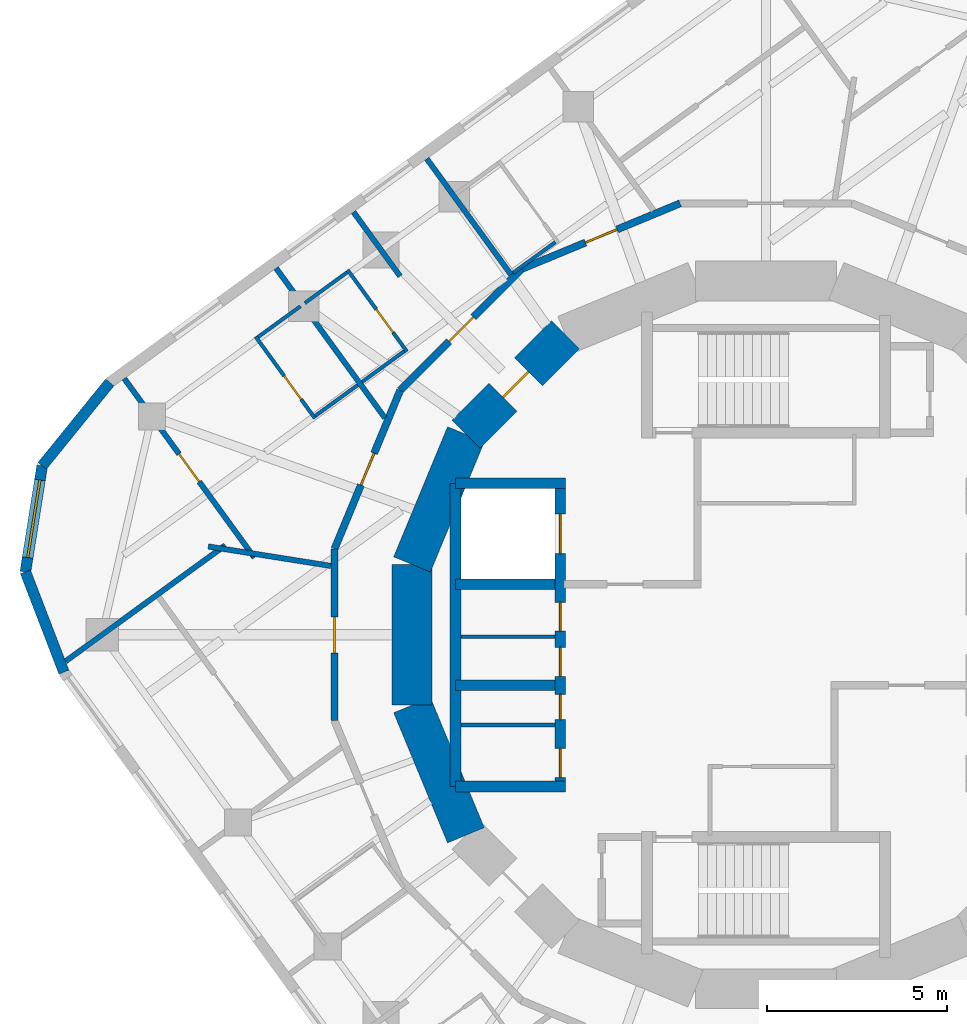
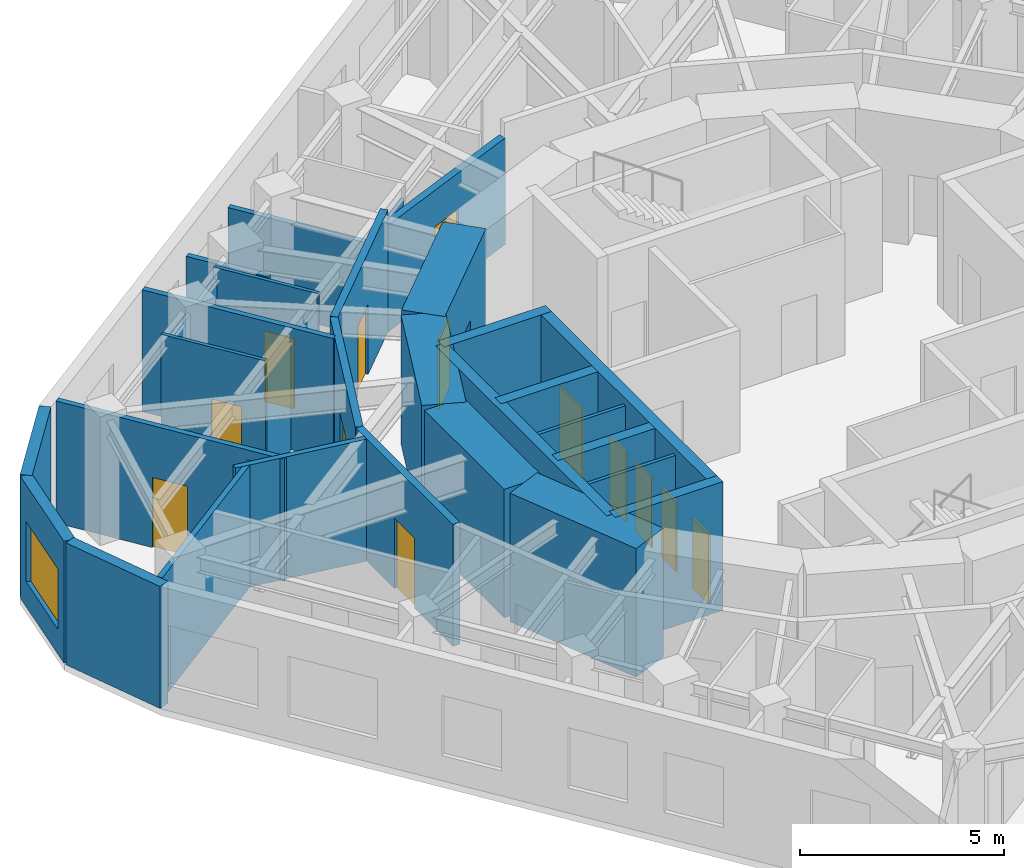
# One storey, part 5 of 9: 32 walls, 13 doors, 1 window, 14 openings.
"""IFC4 building model written with IfcOpenShell, lengths in metres."""

import ifcopenshell
import ifcopenshell.guid

model = None  # the IFC model being written
_history = None  # IfcOwnerHistory: only IFC2X3 demands one
_inside = {}  # id of a spatial element -> (the spatial element, [elements in it])
_under = {}  # id of a project, library or spatial element -> (it, [spatial elements below it])
_declared = {}  # id of a project -> (the project, [libraries it declares])
_typed = {}  # id of a type object -> (the type object, [elements of that type])
_made_of = {}  # id of a material, layer set ... -> (it, [elements and type objects made of it])


def new_model(schema):
    """Start an empty IFC model of exactly this schema.

    Asked for "IFC4X3", IfcOpenShell would pick the latest addendum, in which some entities
    have other attributes; the version numbers below select the first issue.
    IFC2X3 requires an IfcOwnerHistory on every rooted entity: one is made here for all.
    """
    global model, _history
    if schema == "IFC4X3":
        model = ifcopenshell.file(schema_version=(4, 3, 0, 0))
    else:
        model = ifcopenshell.file(schema=schema)
    _inside.clear()
    _under.clear()
    _declared.clear()
    _typed.clear()
    _made_of.clear()
    _history = None
    if model.schema == "IFC2X3":
        org = make("IfcOrganization", Name="unknown")
        user = make(
            "IfcPersonAndOrganization",
            ThePerson=make("IfcPerson", FamilyName="unknown"),
            TheOrganization=org,
        )
        app = make(
            "IfcApplication",
            ApplicationDeveloper=org,
            Version="unknown",
            ApplicationFullName="unknown",
            ApplicationIdentifier="unknown",
        )
        _history = make(
            "IfcOwnerHistory",
            OwningUser=user,
            OwningApplication=app,
            ChangeAction="ADDED",
            CreationDate=0,
        )
    return model


def make(cls, **values):
    """One entity of the class cls with the attributes given. An attribute that is None is left unset."""
    return model.create_entity(
        cls, **{name: value for name, value in values.items() if value is not None}
    )


def rooted(cls, **values):
    """An entity with a GlobalId (a new one), such as an element, a storey or a relation."""
    return make(cls, GlobalId=ifcopenshell.guid.new(), OwnerHistory=_history, **values)


def si_unit(unit_type, name, prefix=None):
    """IfcSIUnit, for example si_unit("LENGTHUNIT", "METRE", prefix="MILLI")."""
    return make("IfcSIUnit", UnitType=unit_type, Prefix=prefix, Name=name)


def assignment(units):
    """IfcUnitAssignment: the units of a project."""
    return None if units is None else make("IfcUnitAssignment", Units=units)


def point(xyz):
    """IfcCartesianPoint."""
    return None if xyz is None else make("IfcCartesianPoint", Coordinates=xyz)


def direction(xyz):
    """IfcDirection."""
    return None if xyz is None else make("IfcDirection", DirectionRatios=xyz)


def frame(location, z_axis=None, x_axis=None):
    """IfcAxis2Placement3D, a coordinate frame: its origin and axes. An axis left out is left unset."""
    return make(
        "IfcAxis2Placement3D",
        Location=point(location),
        Axis=direction(z_axis),
        RefDirection=direction(x_axis),
    )


def frame_2d(location, x_axis=None):
    """IfcAxis2Placement2D, a coordinate frame in the plane: its origin and x axis."""
    return make(
        "IfcAxis2Placement2D", Location=point(location), RefDirection=direction(x_axis)
    )


def origin():
    """The frame at (0, 0, 0) with its axes left unset."""
    return frame((0.0, 0.0, 0.0))


def place(relative_to, where):
    """IfcLocalPlacement: puts the frame where relative to a parent placement (None: the world)."""
    return make(
        "IfcLocalPlacement", PlacementRelTo=relative_to, RelativePlacement=where
    )


def context(
    kind, dimensions, precision=None, world=None, true_north=None, identifier=None
):
    """IfcGeometricRepresentationContext, for example the 3D "Model" context."""
    return make(
        "IfcGeometricRepresentationContext",
        ContextIdentifier=identifier,
        ContextType=kind,
        CoordinateSpaceDimension=dimensions,
        Precision=precision,
        WorldCoordinateSystem=world,
        TrueNorth=true_north,
    )


def subcontext(parent, identifier, kind, view, scale=None):
    """IfcGeometricRepresentationSubContext, for example "Body" below "Model"."""
    return make(
        "IfcGeometricRepresentationSubContext",
        ContextIdentifier=identifier,
        ContextType=kind,
        ParentContext=parent,
        TargetScale=scale,
        TargetView=view,
    )


def project(units=None, contexts=None):
    """IfcProject with its units and contexts."""
    return rooted(
        "IfcProject",
        Name="project",
        RepresentationContexts=contexts,
        UnitsInContext=assignment(units),
    )


def spatial(cls, under=None, at=None, **own):
    """A site, building, storey or space (cls), placed at a placement, below another one or the project."""
    s = rooted(cls, ObjectPlacement=at, **own)
    if under is not None:
        _under.setdefault(under.id(), (under, []))[1].append(s)
    return s


def profile(cls, at=None, kind="AREA", **sizes):
    """A parametric profile (cls). Its sizes go by their IFC names, for example OverallWidth=200.0."""
    return make(cls, ProfileType=kind, Position=at, **sizes)


def rectangle(**sizes):
    """IfcRectangleProfileDef."""
    return profile("IfcRectangleProfileDef", **sizes)


def extrude(swept, where, along, depth):
    """IfcExtrudedAreaSolid: the profile swept, set in the frame where, extruded along a direction by depth."""
    return make(
        "IfcExtrudedAreaSolid",
        SweptArea=swept,
        Position=where,
        ExtrudedDirection=direction(along),
        Depth=depth,
    )


def shape(context_of_items, identifier, shape_type, items):
    """IfcShapeRepresentation: the items that make up one representation, for example the "Body"."""
    return make(
        "IfcShapeRepresentation",
        ContextOfItems=context_of_items,
        RepresentationIdentifier=identifier,
        RepresentationType=shape_type,
        Items=items,
    )


def material(Name=None, Category=None):
    """IfcMaterial."""
    return make("IfcMaterial", Name=Name, Category=Category)


def layer(
    of_material, thickness, ventilated=None, Name=None, Category=None, Priority=None
):
    """IfcMaterialLayer: one layer of a wall or slab, of a material (None: an air gap)."""
    return make(
        "IfcMaterialLayer",
        Material=of_material,
        LayerThickness=thickness,
        IsVentilated=ventilated,
        Name=Name,
        Category=Category,
        Priority=Priority,
    )


def layer_set(layers, Name=None):
    """IfcMaterialLayerSet."""
    return make("IfcMaterialLayerSet", MaterialLayers=layers, LayerSetName=Name)


def made_of(thing, what):
    """Note that an element or type object is made of a material, layer set ...; save() writes the relation."""
    if what is not None:
        _made_of.setdefault(what.id(), (what, []))[1].append(thing)
    return thing


def type_object(cls, material=None, **own):
    """A type object (cls), such as IfcWallType, which elements share."""
    return made_of(rooted(cls, **own), material)


def element(
    cls,
    number,
    at=None,
    inside=None,
    cuts=None,
    type_object=None,
    material=None,
    context=None,
    identifier="Body",
    shape_type=None,
    held_by="IfcProductDefinitionShape",
    body=None,
    shapes=None,
    **own,
):
    """One element of the class cls, such as IfcWall. Its Tag is "e" and its number.

    at: its placement. inside: the storey or other place that contains it. cuts: it is an
    opening in that element (IfcRelVoidsElement). A single representation is given by context,
    identifier, shape_type and body (its items); several are given by shapes. held_by: the class
    of the entity that holds the representations. save() writes the other relations.
    """
    e = rooted(cls, Tag="e%d" % number, ObjectPlacement=at, **own)
    if body is not None:
        shapes = [shape(context, identifier, shape_type, body)]
    if shapes is not None:
        e.Representation = make(held_by, Representations=shapes)
    if inside is not None:
        _inside.setdefault(inside.id(), (inside, []))[1].append(e)
    if cuts is not None:
        rooted(
            "IfcRelVoidsElement", RelatingBuildingElement=cuts, RelatedOpeningElement=e
        )
    if type_object is not None:
        _typed.setdefault(type_object.id(), (type_object, []))[1].append(e)
    return made_of(e, material)


def fill(opening, filler):
    """IfcRelFillsElement: the door or window that sits in an opening."""
    return rooted(
        "IfcRelFillsElement",
        RelatingOpeningElement=opening,
        RelatedBuildingElement=filler,
    )


def aggregate(whole, parts):
    """IfcRelAggregates: a whole, such as a stair, and the parts it consists of."""
    return rooted("IfcRelAggregates", RelatingObject=whole, RelatedObjects=parts)


def save(model, path):
    """Write the relations noted so far, then the file.

    IfcRelAggregates (storeys below a building ...), IfcRelContainedInSpatialStructure (elements
    in a storey), IfcRelDefinesByType, IfcRelAssociatesMaterial and IfcRelDeclares: one each for
    every whole, place, type object, material and project.
    """
    for whole, parts in _under.values():
        aggregate(whole, parts)
    for where, things in _inside.values():
        rooted(
            "IfcRelContainedInSpatialStructure",
            RelatedElements=things,
            RelatingStructure=where,
        )
    for kind, things in _typed.values():
        rooted("IfcRelDefinesByType", RelatedObjects=things, RelatingType=kind)
    for what, things in _made_of.values():
        rooted("IfcRelAssociatesMaterial", RelatedObjects=things, RelatingMaterial=what)
    for by, libraries in _declared.values():
        rooted("IfcRelDeclares", RelatingContext=by, RelatedDefinitions=libraries)
    model.write(path)


model = new_model("IFC4")

# Units and contexts
model_context = context("Model", 3, precision=1e-05, world=origin(), true_north=direction((0.0, 1.0)))
body_context = subcontext(model_context, "Body", "Model", "MODEL_VIEW")
ifc_project = project(units=[si_unit("LENGTHUNIT", "METRE"), si_unit("AREAUNIT", "SQUARE_METRE"), si_unit("VOLUMEUNIT", "CUBIC_METRE"), si_unit("PLANEANGLEUNIT", "RADIAN"), si_unit("MASSUNIT", "GRAM", prefix="KILO")], contexts=[model_context])

# Site, building, storey
site_placement = place(None, origin())
site = spatial("IfcSite", under=ifc_project, at=site_placement, CompositionType="ELEMENT")
building_placement = place(site_placement, origin())
building = spatial("IfcBuilding", under=site, at=building_placement, Name="Nakasero Lantern House", CompositionType="ELEMENT")
storey_placement = place(building_placement, frame((0.0, 0.0, 290.699951171875)))
storey = spatial("IfcBuildingStorey", under=building, at=storey_placement, Name="L71", CompositionType="ELEMENT", Elevation=290.699951171875)

# Wall, openings, doors
ifc_material_1 = material(Name="Concrete C50/60", Category="concrete")
ifc_layer_1 = layer(ifc_material_1, 0.300048828125)
ifc_layer_set_1 = layer_set([ifc_layer_1], Name="Core inner wall 300")
wall_type_1 = type_object("IfcWallType", Name="Core inner wall 300", PredefinedType="SHEAR", material=ifc_layer_set_1)
wall_1_placement = place(storey_placement, frame((-5.699951171875, -4.199951171875, 0.0), z_axis=(0.0, 0.0, 1.0), x_axis=(0.0, 1.0, 0.0)))
wall_1 = element("IfcWall", 1, at=wall_1_placement, inside=storey, type_object=wall_type_1, Name="Core inner wall L71 LW", PredefinedType="SHEAR", context=body_context, shape_type="SweptSolid", body=[
    extrude(rectangle(XDim=8.39990234375, YDim=0.300048828125, at=frame_2d((4.199951171875, 0.0))), origin(), (0.0, 0.0, 1.0), 3.85009765625),
])
opening_1_placement = place(wall_1_placement, frame((0.25, 0.0, 0.0)))
opening_1 = element("IfcOpeningElement", 2, at=opening_1_placement, cuts=wall_1, Name="Opening D19", PredefinedType="OPENING", context=body_context, shape_type="SweptSolid", body=[
    extrude(rectangle(XDim=0.800048828125, YDim=2.10009765625, at=frame_2d((0.39990234375, 1.050048828125))), frame((0.0, 0.169921875, 0.0), z_axis=(0.0, -1.0, 0.0), x_axis=(1.0, 0.0, 0.0)), (0.0, 0.0, 1.0), 0.340087890625),
])
opening_2_placement = place(wall_1_placement, frame((1.85009765625, 0.0, 0.0)))
opening_2 = element("IfcOpeningElement", 3, at=opening_2_placement, cuts=wall_1, Name="Opening D20", PredefinedType="OPENING", context=body_context, shape_type="SweptSolid", body=[
    extrude(rectangle(XDim=0.699951171875, YDim=2.10009765625, at=frame_2d((0.35009765625, 1.050048828125))), frame((0.0, 0.169921875, 0.0), z_axis=(0.0, -1.0, 0.0), x_axis=(1.0, 0.0, 0.0)), (0.0, 0.0, 1.0), 0.340087890625),
])
opening_3_placement = place(wall_1_placement, frame((3.050048828125, 0.0, 0.0)))
opening_3 = element("IfcOpeningElement", 4, at=opening_3_placement, cuts=wall_1, Name="Opening D15", PredefinedType="OPENING", context=body_context, shape_type="SweptSolid", body=[
    extrude(rectangle(XDim=0.800048828125, YDim=2.10009765625, at=frame_2d((0.39990234375, 1.050048828125))), frame((0.0, 0.169921875, 0.0), z_axis=(0.0, -1.0, 0.0), x_axis=(1.0, 0.0, 0.0)), (0.0, 0.0, 1.0), 0.340087890625),
])
opening_4_placement = place(wall_1_placement, frame((4.300048828125, 0.0, 0.0)))
opening_4 = element("IfcOpeningElement", 5, at=opening_4_placement, cuts=wall_1, Name="Opening D15", PredefinedType="OPENING", context=body_context, shape_type="SweptSolid", body=[
    extrude(rectangle(XDim=0.800048828125, YDim=2.10009765625, at=frame_2d((0.39990234375, 1.050048828125))), frame((0.0, 0.169921875, 0.0), z_axis=(0.0, -1.0, 0.0), x_axis=(1.0, 0.0, 0.0)), (0.0, 0.0, 1.0), 0.340087890625),
])
opening_5_placement = place(wall_1_placement, frame((6.449951171875, 0.0, 0.0)))
opening_5 = element("IfcOpeningElement", 6, at=opening_5_placement, cuts=wall_1, Name="Opening LD", PredefinedType="OPENING", context=body_context, shape_type="SweptSolid", body=[
    extrude(rectangle(XDim=1.10009765625, YDim=2.10009765625, at=frame_2d((0.550048828125, 1.050048828125))), frame((0.0, 0.169921875, 0.0), z_axis=(0.0, -1.0, 0.0), x_axis=(1.0, 0.0, 0.0)), (0.0, 0.0, 1.0), 0.340087890625),
])
ifc_material_2 = material(Name="Timber C24", Category="wood")
door_type_1 = type_object("IfcDoorType", Name="Cleaner's store door FD30S 700", OperationType="SINGLE_SWING_LEFT", PredefinedType="DOOR", material=ifc_material_2)
door_1_placement = place(opening_2_placement, origin())
door_1 = element("IfcDoor", 7, at=door_1_placement, inside=storey, type_object=door_type_1, Name="Door L71 D-SH-LW1b", OperationType="SINGLE_SWING_LEFT", OverallHeight=2.10009765625, OverallWidth=0.699951171875, PredefinedType="DOOR", context=body_context, shape_type="SweptSolid", body=[
    extrude(rectangle(XDim=0.699951171875, YDim=2.10009765625, at=frame_2d((0.35009765625, 1.050048828125))), frame((0.0, 0.02490234375, 0.0), z_axis=(0.0, -1.0, 0.0), x_axis=(1.0, 0.0, 0.0)), (0.0, 0.0, 1.0), 0.050048828125),
])
fill(opening_2, door_1)
ifc_material_3 = material(Name="Timber C24", Category="wood")
door_type_2 = type_object("IfcDoorType", Name="Cleaner's store door FD30S 800", OperationType="SINGLE_SWING_LEFT", PredefinedType="DOOR", material=ifc_material_3)
door_2_placement = place(opening_3_placement, origin())
door_2 = element("IfcDoor", 8, at=door_2_placement, inside=storey, type_object=door_type_2, Name="Door L71 D-SH-LW2a", OperationType="SINGLE_SWING_LEFT", OverallHeight=2.10009765625, OverallWidth=0.800048828125, PredefinedType="DOOR", context=body_context, shape_type="SweptSolid", body=[
    extrude(rectangle(XDim=0.800048828125, YDim=2.10009765625, at=frame_2d((0.39990234375, 1.050048828125))), frame((0.0, 0.02490234375, 0.0), z_axis=(0.0, -1.0, 0.0), x_axis=(1.0, 0.0, 0.0)), (0.0, 0.0, 1.0), 0.050048828125),
])
fill(opening_3, door_2)
door_3_placement = place(opening_4_placement, origin())
door_3 = element("IfcDoor", 9, at=door_3_placement, inside=storey, type_object=door_type_2, Name="Door L71 D-SH-LW2b", OperationType="SINGLE_SWING_RIGHT", OverallHeight=2.10009765625, OverallWidth=0.800048828125, PredefinedType="DOOR", context=body_context, shape_type="SweptSolid", body=[
    extrude(rectangle(XDim=0.800048828125, YDim=2.10009765625, at=frame_2d((0.39990234375, 1.050048828125))), frame((0.0, 0.02490234375, 0.0), z_axis=(0.0, -1.0, 0.0), x_axis=(1.0, 0.0, 0.0)), (0.0, 0.0, 1.0), 0.050048828125),
])
fill(opening_4, door_3)
ifc_material_4 = material(Name="Steel S355", Category="steel")
door_type_3 = type_object("IfcDoorType", Name="Lift landing door E120 1100", OperationType="SLIDING_TO_LEFT", PredefinedType="DOOR", material=ifc_material_4)
door_4_placement = place(opening_5_placement, origin())
door_4 = element("IfcDoor", 10, at=door_4_placement, inside=storey, type_object=door_type_3, Name="Lift landing door LW3", OperationType="SLIDING_TO_LEFT", OverallHeight=2.10009765625, OverallWidth=1.10009765625, PredefinedType="DOOR", context=body_context, shape_type="SweptSolid", body=[
    extrude(rectangle(XDim=1.10009765625, YDim=2.10009765625, at=frame_2d((0.550048828125, 1.050048828125))), frame((0.0, 0.02490234375, 0.0), z_axis=(0.0, -1.0, 0.0), x_axis=(1.0, 0.0, 0.0)), (0.0, 0.0, 1.0), 0.050048828125),
])
fill(opening_5, door_4)
ifc_material_5 = material(Name="Steel S355", Category="steel")
door_type_4 = type_object("IfcDoorType", Name="Plant room door FD60 800", OperationType="SINGLE_SWING_LEFT", PredefinedType="DOOR", material=ifc_material_5)
door_5_placement = place(opening_1_placement, origin())
door_5 = element("IfcDoor", 11, at=door_5_placement, inside=storey, type_object=door_type_4, Name="Door L71 D-SH-LW1a", OperationType="SINGLE_SWING_LEFT", OverallHeight=2.10009765625, OverallWidth=0.800048828125, PredefinedType="DOOR", context=body_context, shape_type="SweptSolid", body=[
    extrude(rectangle(XDim=0.800048828125, YDim=2.10009765625, at=frame_2d((0.39990234375, 1.050048828125))), frame((0.0, 0.02490234375, 0.0), z_axis=(0.0, -1.0, 0.0), x_axis=(1.0, 0.0, 0.0)), (0.0, 0.0, 1.0), 0.050048828125),
])
fill(opening_1, door_5)

# Walls
for number, where, z_axis, x_axis, name in (
    (12, (-8.60009765625, 4.199951171875, 0.0), (0.0, 0.0, 1.0), (1.0, 0.0, 0.0), "Core inner wall L71 LWN"),
    (13, (-8.60009765625, -4.199951171875, 0.0), (0.0, 0.0, 1.0), (1.0, 0.0, 0.0), "Core inner wall L71 LWS"),
):
    element("IfcWall", number, at=place(storey_placement, frame(where, z_axis=z_axis, x_axis=x_axis)), inside=storey, type_object=wall_type_1, Name=name, PredefinedType="SHEAR", context=body_context, shape_type="SweptSolid", body=[
        extrude(rectangle(XDim=3.050048828125, YDim=0.300048828125, at=frame_2d((1.52490234375, 0.0))), origin(), (0.0, 0.0, 1.0), 3.85009765625),
    ])
wall_2_placement = place(storey_placement, frame((-8.60009765625, -4.199951171875, 0.0), z_axis=(0.0, 0.0, 1.0), x_axis=(0.0, 1.0, 0.0)))
element("IfcWall", 14, at=wall_2_placement, inside=storey, type_object=wall_type_1, Name="Core inner wall L71 LWB", PredefinedType="SHEAR", context=body_context, shape_type="SweptSolid", body=[
    extrude(rectangle(XDim=8.39990234375, YDim=0.300048828125, at=frame_2d((4.199951171875, 0.0))), origin(), (0.0, 0.0, 1.0), 3.85009765625),
])
for number, where, z_axis, x_axis, name in (
    (15, (-8.60009765625, -1.39990234375, 0.0), (0.0, 0.0, 1.0), (1.0, 0.0, 0.0), "Core inner wall L71 LW1"),
    (16, (-8.60009765625, 1.39990234375, 0.0), (0.0, 0.0, 1.0), (1.0, 0.0, 0.0), "Core inner wall L71 LW2"),
):
    element("IfcWall", number, at=place(storey_placement, frame(where, z_axis=z_axis, x_axis=x_axis)), inside=storey, type_object=wall_type_1, Name=name, PredefinedType="SHEAR", context=body_context, shape_type="SweptSolid", body=[
        extrude(rectangle(XDim=2.75, YDim=0.300048828125, at=frame_2d((1.375, 0.0))), origin(), (0.0, 0.0, 1.0), 3.85009765625),
    ])
ifc_material_6 = material(Name="Blockwork", Category="masonry")
ifc_layer_2 = layer(ifc_material_6, 0.10009765625)
ifc_layer_set_2 = layer_set([ifc_layer_2], Name="Core room wall 100")
wall_type_2 = type_object("IfcWallType", Name="Core room wall 100", PredefinedType="PARTITIONING", material=ifc_layer_set_2)
for number, where, z_axis, x_axis, name in (
    (17, (-8.449951171875, -2.5, 0.0), (0.0, 0.0, 1.0), (1.0, 0.0, 0.0), "Core room wall L71 CR-SH-LW1b"),
    (18, (-8.449951171875, -0.050048828125, 0.0), (0.0, 0.0, 1.0), (1.0, 0.0, 0.0), "Core room wall L71 CR-SH-LW2b"),
):
    element("IfcWall", number, at=place(storey_placement, frame(where, z_axis=z_axis, x_axis=x_axis)), inside=storey, type_object=wall_type_2, Name=name, PredefinedType="PARTITIONING", context=body_context, shape_type="SweptSolid", body=[
        extrude(rectangle(XDim=2.599853515625, YDim=0.10009765625, at=frame_2d((1.2998046875, 0.0))), origin(), (0.0, 0.0, 1.0), 3.650146484375),
    ])

# Wall, opening, door
ifc_material_7 = material(Name="Concrete C50/60", Category="concrete")
ifc_layer_3 = layer(ifc_material_7, 1.10009765625)
ifc_layer_set_3 = layer_set([ifc_layer_3], Name="Core wall 1100")
wall_type_3 = type_object("IfcWallType", Name="Core wall 1100", PredefinedType="SHEAR", material=ifc_layer_set_3)
wall_3_placement = place(storey_placement, frame((-5.5556640625, 8.314697265625, 0.0), z_axis=(0.0, 0.0, 1.0), x_axis=(-0.707106781187, -0.707106781187, 0.0)))
wall_3 = element("IfcWall", 19, at=wall_3_placement, inside=storey, type_object=wall_type_3, Name="Core wall L71 facet 6", PredefinedType="SHEAR", context=body_context, shape_type="SweptSolid", body=[
    extrude(rectangle(XDim=3.90185546875, YDim=1.10009765625, at=frame_2d((1.950927734375, 0.0))), origin(), (0.0, 0.0, 1.0), 3.85009765625),
])
opening_6_placement = place(wall_3_placement, frame((1.450927734375, 0.0, 0.0)))
opening_6 = element("IfcOpeningElement", 20, at=opening_6_placement, cuts=wall_3, Name="Opening D05", PredefinedType="OPENING", context=body_context, shape_type="SweptSolid", body=[
    extrude(rectangle(XDim=1.0, YDim=2.10009765625, at=frame_2d((0.5, 1.050048828125))), frame((0.0, 0.570068359375, 0.0), z_axis=(0.0, -1.0, 0.0), x_axis=(1.0, 0.0, 0.0)), (0.0, 0.0, 1.0), 1.14013671875),
])
ifc_material_8 = material(Name="Timber C24", Category="wood")
door_type_5 = type_object("IfcDoorType", Name="Core door FD60S 1000", OperationType="SINGLE_SWING_LEFT", PredefinedType="DOOR", material=ifc_material_8)
door_6_placement = place(opening_6_placement, origin())
door_6 = element("IfcDoor", 21, at=door_6_placement, inside=storey, type_object=door_type_5, Name="Door L71 D-CORE06", OperationType="SINGLE_SWING_LEFT", OverallHeight=2.10009765625, OverallWidth=1.0, PredefinedType="DOOR", context=body_context, shape_type="SweptSolid", body=[
    extrude(rectangle(XDim=1.0, YDim=2.10009765625, at=frame_2d((0.5, 1.050048828125))), frame((0.0, 0.02490234375, 0.0), z_axis=(0.0, -1.0, 0.0), x_axis=(1.0, 0.0, 0.0)), (0.0, 0.0, 1.0), 0.050048828125),
])
fill(opening_6, door_6)

# Walls
for number, where, z_axis, x_axis, name in (
    (22, (-8.314697265625, 5.5556640625, 0.0), (0.0, 0.0, 1.0), (-0.382690736062, -0.923876507187, 0.0), "Core wall L71 facet 7"),
    (23, (-9.807861328125, 1.950927734375, 0.0), (0.0, 0.0, 1.0), (0.0, -1.0, 0.0), "Core wall L71 facet 8"),
    (24, (-9.807861328125, -1.950927734375, 0.0), (0.0, 0.0, 1.0), (0.382690736062, -0.923876507187, 0.0), "Core wall L71 facet 9"),
):
    element("IfcWall", number, at=place(storey_placement, frame(where, z_axis=z_axis, x_axis=x_axis)), inside=storey, type_object=wall_type_3, Name=name, PredefinedType="SHEAR", context=body_context, shape_type="SweptSolid", body=[
        extrude(rectangle(XDim=3.90185546875, YDim=1.10009765625, at=frame_2d((1.950927734375, 0.0))), origin(), (0.0, 0.0, 1.0), 3.85009765625),
    ])

# Wall, opening, door
ifc_material_9 = material(Name="Blockwork", Category="masonry")
ifc_layer_4 = layer(ifc_material_9, 0.199951171875)
ifc_layer_set_4 = layer_set([ifc_layer_4], Name="Corridor wall 200")
wall_type_4 = type_object("IfcWallType", Name="Corridor wall 200", PredefinedType="PARTITIONING", material=ifc_layer_set_4)
wall_4_placement = place(storey_placement, frame((-11.957763671875, -2.378662109375, 0.0), z_axis=(0.0, 0.0, 1.0), x_axis=(0.0, 1.0, 0.0)))
wall_4 = element("IfcWall", 25, at=wall_4_placement, inside=storey, type_object=wall_type_4, Name="Corridor wall L71 RC08a", PredefinedType="PARTITIONING", context=body_context, shape_type="SweptSolid", body=[
    extrude(rectangle(XDim=4.75732421875, YDim=0.199951171875, at=frame_2d((2.378662109375, 0.0))), origin(), (0.0, 0.0, 1.0), 3.650146484375),
])
opening_7_placement = place(wall_4_placement, frame((1.8701171875, 0.0, 0.0)))
opening_7 = element("IfcOpeningElement", 26, at=opening_7_placement, cuts=wall_4, Name="Opening D03", PredefinedType="OPENING", context=body_context, shape_type="SweptSolid", body=[
    extrude(rectangle(XDim=1.0, YDim=2.10009765625, at=frame_2d((0.5, 1.050048828125))), frame((0.0, 0.119873046875, 0.0), z_axis=(0.0, -1.0, 0.0), x_axis=(1.0, 0.0, 0.0)), (0.0, 0.0, 1.0), 0.239990234375),
])
ifc_material_10 = material(Name="Timber C24", Category="wood")
door_type_6 = type_object("IfcDoorType", Name="Lounge door FD30S 1000", OperationType="SINGLE_SWING_LEFT", PredefinedType="DOOR", material=ifc_material_10)
door_7_placement = place(opening_7_placement, origin())
door_7 = element("IfcDoor", 27, at=door_7_placement, inside=storey, type_object=door_type_6, Name="Door L71 DK2", OperationType="SINGLE_SWING_LEFT", OverallHeight=2.10009765625, OverallWidth=1.0, PredefinedType="DOOR", context=body_context, shape_type="SweptSolid", body=[
    extrude(rectangle(XDim=1.0, YDim=2.10009765625, at=frame_2d((0.5, 1.050048828125))), frame((0.0, 0.02490234375, 0.0), z_axis=(0.0, -1.0, 0.0), x_axis=(1.0, 0.0, 0.0)), (0.0, 0.0, 1.0), 0.050048828125),
])
fill(opening_7, door_7)

wall_5_placement = place(storey_placement, frame((-11.957763671875, 2.378662109375, 0.0), z_axis=(0.0, 0.0, 1.0), x_axis=(0.382653970627, 0.923891735412, 0.0)))
wall_5 = element("IfcWall", 28, at=wall_5_placement, inside=storey, type_object=wall_type_4, Name="Corridor wall L71 RC09a", PredefinedType="PARTITIONING", context=body_context, shape_type="SweptSolid", body=[
    extrude(rectangle(XDim=4.757080078125, YDim=0.199951171875, at=frame_2d((2.37841796875, 0.0))), origin(), (0.0, 0.0, 1.0), 3.650146484375),
])
opening_8_placement = place(wall_5_placement, frame((1.919921875, 0.0, 0.0)))
opening_8 = element("IfcOpeningElement", 29, at=opening_8_placement, cuts=wall_5, Name="Opening D01", PredefinedType="OPENING", context=body_context, shape_type="SweptSolid", body=[
    extrude(rectangle(XDim=0.949951171875, YDim=2.10009765625, at=frame_2d((0.47509765625, 1.050048828125))), frame((0.0, 0.119873046875, 0.0), z_axis=(0.0, -1.0, 0.0), x_axis=(1.0, 0.0, 0.0)), (0.0, 0.0, 1.0), 0.239990234375),
])
ifc_material_11 = material(Name="Timber C24", Category="wood")
door_type_7 = type_object("IfcDoorType", Name="Bedroom door FD30S 950", OperationType="SINGLE_SWING_LEFT", PredefinedType="DOOR", material=ifc_material_11)
door_8_placement = place(opening_8_placement, origin())
door_8 = element("IfcDoor", 30, at=door_8_placement, inside=storey, type_object=door_type_7, Name="Door L71 D1-06", OperationType="SINGLE_SWING_RIGHT", OverallHeight=2.10009765625, OverallWidth=0.949951171875, PredefinedType="DOOR", context=body_context, shape_type="SweptSolid", body=[
    extrude(rectangle(XDim=0.949951171875, YDim=2.10009765625, at=frame_2d((0.47509765625, 1.050048828125))), frame((0.0, 0.02490234375, 0.0), z_axis=(0.0, -1.0, 0.0), x_axis=(1.0, 0.0, 0.0)), (0.0, 0.0, 1.0), 0.050048828125),
])
fill(opening_8, door_8)

wall_6_placement = place(storey_placement, frame((-10.137451171875, 6.773681640625, 0.0), z_axis=(0.0, 0.0, 1.0), x_axis=(0.707106781187, 0.707106781187, 0.0)))
wall_6 = element("IfcWall", 31, at=wall_6_placement, inside=storey, type_object=wall_type_4, Name="Corridor wall L71 RC10a", PredefinedType="PARTITIONING", context=body_context, shape_type="SweptSolid", body=[
    extrude(rectangle(XDim=4.757080078125, YDim=0.199951171875, at=frame_2d((2.37841796875, 0.0))), origin(), (0.0, 0.0, 1.0), 3.650146484375),
])
opening_9_placement = place(wall_6_placement, frame((1.919921875, 0.0, 0.0)))
opening_9 = element("IfcOpeningElement", 32, at=opening_9_placement, cuts=wall_6, Name="Opening D01", PredefinedType="OPENING", context=body_context, shape_type="SweptSolid", body=[
    extrude(rectangle(XDim=0.949951171875, YDim=2.10009765625, at=frame_2d((0.47509765625, 1.050048828125))), frame((0.0, 0.119873046875, 0.0), z_axis=(0.0, -1.0, 0.0), x_axis=(1.0, 0.0, 0.0)), (0.0, 0.0, 1.0), 0.239990234375),
])
door_9_placement = place(opening_9_placement, origin())
door_9 = element("IfcDoor", 33, at=door_9_placement, inside=storey, type_object=door_type_7, Name="Door L71 D1-04", OperationType="SINGLE_SWING_RIGHT", OverallHeight=2.10009765625, OverallWidth=0.949951171875, PredefinedType="DOOR", context=body_context, shape_type="SweptSolid", body=[
    extrude(rectangle(XDim=0.949951171875, YDim=2.10009765625, at=frame_2d((0.47509765625, 1.050048828125))), frame((0.0, 0.02490234375, 0.0), z_axis=(0.0, -1.0, 0.0), x_axis=(1.0, 0.0, 0.0)), (0.0, 0.0, 1.0), 0.050048828125),
])
fill(opening_9, door_9)

wall_7_placement = place(storey_placement, frame((-6.773681640625, 10.137451171875, 0.0), z_axis=(0.0, 0.0, 1.0), x_axis=(0.923891735412, 0.382653970627, 0.0)))
wall_7 = element("IfcWall", 34, at=wall_7_placement, inside=storey, type_object=wall_type_4, Name="Corridor wall L71 RC11a", PredefinedType="PARTITIONING", context=body_context, shape_type="SweptSolid", body=[
    extrude(rectangle(XDim=4.757080078125, YDim=0.199951171875, at=frame_2d((2.37841796875, 0.0))), origin(), (0.0, 0.0, 1.0), 3.18994140625),
])
opening_10_placement = place(wall_7_placement, frame((1.919921875, 0.0, 0.0)))
opening_10 = element("IfcOpeningElement", 35, at=opening_10_placement, cuts=wall_7, Name="Opening D01", PredefinedType="OPENING", context=body_context, shape_type="SweptSolid", body=[
    extrude(rectangle(XDim=0.949951171875, YDim=2.10009765625, at=frame_2d((0.47509765625, 1.050048828125))), frame((0.0, 0.119873046875, 0.0), z_axis=(0.0, -1.0, 0.0), x_axis=(1.0, 0.0, 0.0)), (0.0, 0.0, 1.0), 0.239990234375),
])
door_10_placement = place(opening_10_placement, origin())
door_10 = element("IfcDoor", 36, at=door_10_placement, inside=storey, type_object=door_type_7, Name="Door L71 D1-03", OperationType="SINGLE_SWING_RIGHT", OverallHeight=2.10009765625, OverallWidth=0.949951171875, PredefinedType="DOOR", context=body_context, shape_type="SweptSolid", body=[
    extrude(rectangle(XDim=0.949951171875, YDim=2.10009765625, at=frame_2d((0.47509765625, 1.050048828125))), frame((0.0, 0.02490234375, 0.0), z_axis=(0.0, -1.0, 0.0), x_axis=(1.0, 0.0, 0.0)), (0.0, 0.0, 1.0), 0.050048828125),
])
fill(opening_10, door_10)

# Wall
ifc_material_12 = material(Name="Blockwork", Category="masonry")
ifc_layer_5 = layer(ifc_material_12, 0.10009765625)
ifc_layer_set_5 = layer_set([ifc_layer_5], Name="En-suite wall 100")
wall_type_5 = type_object("IfcWallType", Name="En-suite wall 100", PredefinedType="PARTITIONING", material=ifc_layer_set_5)
wall_8_placement = place(storey_placement, frame((-5.8349609375, 10.883544921875, 0.0), z_axis=(0.0, 0.0, 1.0), x_axis=(-0.809019944521, -0.587781191743, 0.0)))
element("IfcWall", 37, at=wall_8_placement, inside=storey, type_object=wall_type_5, Name="En-suite wall L71 EI1-03", PredefinedType="PARTITIONING", context=body_context, shape_type="SweptSolid", body=[
    extrude(rectangle(XDim=1.449951171875, YDim=0.10009765625, at=frame_2d((0.72509765625, 0.0))), origin(), (0.0, 0.0, 1.0), 3.18994140625),
])

# Wall, opening, door
wall_9_placement = place(storey_placement, frame((-9.949462890625, 7.851318359375, 0.0), z_axis=(0.0, 0.0, 1.0), x_axis=(-0.587793152327, 0.809011254605, 0.0)))
wall_9 = element("IfcWall", 38, at=wall_9_placement, inside=storey, type_object=wall_type_5, Name="En-suite wall L71 ES1-04", PredefinedType="PARTITIONING", context=body_context, shape_type="SweptSolid", body=[
    extrude(rectangle(XDim=2.7998046875, YDim=0.10009765625, at=frame_2d((1.39990234375, 0.0))), origin(), (0.0, 0.0, 1.0), 3.650146484375),
])
opening_11_placement = place(wall_9_placement, frame((0.64990234375, 0.0, 0.0)))
opening_11 = element("IfcOpeningElement", 39, at=opening_11_placement, cuts=wall_9, Name="Opening D02", PredefinedType="OPENING", context=body_context, shape_type="SweptSolid", body=[
    extrude(rectangle(XDim=0.800048828125, YDim=2.10009765625, at=frame_2d((0.39990234375, 1.050048828125))), frame((0.0, 0.070068359375, 0.0), z_axis=(0.0, -1.0, 0.0), x_axis=(1.0, 0.0, 0.0)), (0.0, 0.0, 1.0), 0.14013671875),
])
ifc_material_13 = material(Name="Timber C24", Category="wood")
door_type_8 = type_object("IfcDoorType", Name="En-suite door 800", OperationType="SINGLE_SWING_RIGHT", PredefinedType="DOOR", material=ifc_material_13)
door_11_placement = place(opening_11_placement, origin())
door_11 = element("IfcDoor", 40, at=door_11_placement, inside=storey, type_object=door_type_8, Name="Door L71 DE1-04", OperationType="SINGLE_SWING_LEFT", OverallHeight=2.10009765625, OverallWidth=0.800048828125, PredefinedType="DOOR", context=body_context, shape_type="SweptSolid", body=[
    extrude(rectangle(XDim=0.800048828125, YDim=2.10009765625, at=frame_2d((0.39990234375, 1.050048828125))), frame((0.0, 0.02490234375, 0.0), z_axis=(0.0, -1.0, 0.0), x_axis=(1.0, 0.0, 0.0)), (0.0, 0.0, 1.0), 0.050048828125),
])
fill(opening_11, door_11)

# Walls
wall_10_placement = place(storey_placement, frame((-11.6064453125, 10.046630859375, 0.0), z_axis=(0.0, 0.0, 1.0), x_axis=(-0.809019944521, -0.587781191743, 0.0)))
element("IfcWall", 41, at=wall_10_placement, inside=storey, type_object=wall_type_5, Name="En-suite wall L71 EE1-04", PredefinedType="PARTITIONING", context=body_context, shape_type="SweptSolid", body=[
    extrude(rectangle(XDim=1.449951171875, YDim=0.10009765625, at=frame_2d((0.72509765625, 0.0))), origin(), (0.0, 0.0, 1.0), 3.295166015625),
])
wall_11_placement = place(storey_placement, frame((-10.019287109375, 7.8623046875, 0.0), z_axis=(0.0, 0.0, 1.0), x_axis=(-0.809019944521, -0.587781191743, 0.0)))
element("IfcWall", 42, at=wall_11_placement, inside=storey, type_object=wall_type_5, Name="En-suite wall L71 EI1-04", PredefinedType="PARTITIONING", context=body_context, shape_type="SweptSolid", body=[
    extrude(rectangle(XDim=1.449951171875, YDim=0.10009765625, at=frame_2d((0.72509765625, 0.0))), origin(), (0.0, 0.0, 1.0), 3.18994140625),
])

# Wall, opening, door
wall_12_placement = place(storey_placement, frame((-12.498046875, 5.999755859375, 0.0), z_axis=(0.0, 0.0, 1.0), x_axis=(-0.587793152327, 0.809011254605, 0.0)))
wall_12 = element("IfcWall", 43, at=wall_12_placement, inside=storey, type_object=wall_type_5, Name="En-suite wall L71 ES1-06", PredefinedType="PARTITIONING", context=body_context, shape_type="SweptSolid", body=[
    extrude(rectangle(XDim=2.7998046875, YDim=0.10009765625, at=frame_2d((1.39990234375, 0.0))), origin(), (0.0, 0.0, 1.0), 3.650146484375),
])
opening_12_placement = place(wall_12_placement, frame((0.64990234375, 0.0, 0.0)))
opening_12 = element("IfcOpeningElement", 44, at=opening_12_placement, cuts=wall_12, Name="Opening D02", PredefinedType="OPENING", context=body_context, shape_type="SweptSolid", body=[
    extrude(rectangle(XDim=0.800048828125, YDim=2.10009765625, at=frame_2d((0.39990234375, 1.050048828125))), frame((0.0, 0.070068359375, 0.0), z_axis=(0.0, -1.0, 0.0), x_axis=(1.0, 0.0, 0.0)), (0.0, 0.0, 1.0), 0.14013671875),
])
door_12_placement = place(opening_12_placement, origin())
door_12 = element("IfcDoor", 45, at=door_12_placement, inside=storey, type_object=door_type_8, Name="Door L71 DE1-06", OperationType="SINGLE_SWING_LEFT", OverallHeight=2.10009765625, OverallWidth=0.800048828125, PredefinedType="DOOR", context=body_context, shape_type="SweptSolid", body=[
    extrude(rectangle(XDim=0.800048828125, YDim=2.10009765625, at=frame_2d((0.39990234375, 1.050048828125))), frame((0.0, 0.02490234375, 0.0), z_axis=(0.0, -1.0, 0.0), x_axis=(1.0, 0.0, 0.0)), (0.0, 0.0, 1.0), 0.050048828125),
])
fill(opening_12, door_12)

# Walls
wall_13_placement = place(storey_placement, frame((-12.90087890625, 9.106201171875, 0.0), z_axis=(0.0, 0.0, 1.0), x_axis=(-0.809019944521, -0.587781191743, 0.0)))
element("IfcWall", 46, at=wall_13_placement, inside=storey, type_object=wall_type_5, Name="En-suite wall L71 EE1-06", PredefinedType="PARTITIONING", context=body_context, shape_type="SweptSolid", body=[
    extrude(rectangle(XDim=1.449951171875, YDim=0.10009765625, at=frame_2d((0.72509765625, 0.0))), origin(), (0.0, 0.0, 1.0), 3.295166015625),
])
wall_14_placement = place(storey_placement, frame((-11.313720703125, 6.921875, 0.0), z_axis=(0.0, 0.0, 1.0), x_axis=(-0.809019944521, -0.587781191743, 0.0)))
element("IfcWall", 47, at=wall_14_placement, inside=storey, type_object=wall_type_5, Name="En-suite wall L71 EI1-06", PredefinedType="PARTITIONING", context=body_context, shape_type="SweptSolid", body=[
    extrude(rectangle(XDim=1.449951171875, YDim=0.10009765625, at=frame_2d((0.72509765625, 0.0))), origin(), (0.0, 0.0, 1.0), 3.18994140625),
])
ifc_material_14 = material(Name="Aluminium rainscreen on blockwork", Category="masonry")
ifc_layer_6 = layer(ifc_material_14, 0.300048828125)
ifc_layer_set_6 = layer_set([ifc_layer_6], Name="Facade wall 300")
wall_type_6 = type_object("IfcWallType", Name="Facade wall 300", PredefinedType="SOLIDWALL", material=ifc_layer_set_6)
wall_15_placement = place(storey_placement, frame((-18.185791015625, 6.996826171875, 0.0), z_axis=(0.0, 0.0, 1.0), x_axis=(-0.629375183362, -0.777101588319, 0.0)))
element("IfcWall", 48, at=wall_15_placement, inside=storey, type_object=wall_type_6, Name="Facade wall L71 FW1C1", PredefinedType="SOLIDWALL", context=body_context, shape_type="SweptSolid", body=[
    extrude(rectangle(XDim=2.976318359375, YDim=0.300048828125, at=frame_2d((1.48828125, 0.0))), origin(), (0.0, 0.0, 1.0), 3.650146484375),
])

# Wall, opening, window
wall_16_placement = place(storey_placement, frame((-20.05908203125, 4.683837890625, 0.0), z_axis=(0.0, 0.0, 1.0), x_axis=(-0.156413227021, -0.987691704133, 0.0)))
wall_16 = element("IfcWall", 49, at=wall_16_placement, inside=storey, type_object=wall_type_6, Name="Facade wall L71 FW1C2", PredefinedType="SOLIDWALL", context=body_context, shape_type="SweptSolid", body=[
    extrude(rectangle(XDim=2.9765625, YDim=0.300048828125, at=frame_2d((1.48828125, 0.0))), origin(), (0.0, 0.0, 1.0), 3.650146484375),
])
opening_13_placement = place(wall_16_placement, frame((0.39990234375, 0.0, 0.75)))
opening_13 = element("IfcOpeningElement", 50, at=opening_13_placement, cuts=wall_16, Name="Opening W221", PredefinedType="OPENING", context=body_context, shape_type="SweptSolid", body=[
    extrude(rectangle(XDim=2.176025390625, YDim=1.800048828125, at=frame_2d((1.087890625, 0.89990234375))), frame((0.0, 0.169921875, 0.0), z_axis=(0.0, -1.0, 0.0), x_axis=(1.0, 0.0, 0.0)), (0.0, 0.0, 1.0), 0.340087890625),
])
ifc_material_15 = material(Name="Aluminium 6063-T6 and glass", Category="aluminium")
window_type = type_object("IfcWindowType", Name="Corner window 2176x1800", PartitioningType="SINGLE_PANEL", PredefinedType="WINDOW", material=ifc_material_15)
window_placement = place(opening_13_placement, origin())
window = element("IfcWindow", 51, at=window_placement, inside=storey, type_object=window_type, Name="Window L71 WC1", OverallHeight=1.800048828125, OverallWidth=2.176025390625, PartitioningType="SINGLE_PANEL", PredefinedType="WINDOW", context=body_context, shape_type="SweptSolid", body=[
    extrude(rectangle(XDim=2.176025390625, YDim=1.800048828125, at=frame_2d((1.087890625, 0.89990234375))), frame((0.0, 0.030029296875, 0.0), z_axis=(0.0, -1.0, 0.0), x_axis=(1.0, 0.0, 0.0)), (0.0, 0.0, 1.0), 0.06005859375),
])
fill(opening_13, window)

# Walls
wall_17_placement = place(storey_placement, frame((-20.524658203125, 1.743896484375, 0.0), z_axis=(0.0, 0.0, 1.0), x_axis=(0.35838535244, -0.933573745966, 0.0)))
element("IfcWall", 52, at=wall_17_placement, inside=storey, type_object=wall_type_6, Name="Facade wall L71 FW1C3", PredefinedType="SOLIDWALL", context=body_context, shape_type="SweptSolid", body=[
    extrude(rectangle(XDim=2.976318359375, YDim=0.300048828125, at=frame_2d((1.48828125, 0.0))), origin(), (0.0, 0.0, 1.0), 3.650146484375),
])
ifc_material_16 = material(Name="Blockwork", Category="masonry")
ifc_layer_7 = layer(ifc_material_16, 0.14990234375)
ifc_layer_set_7 = layer_set([ifc_layer_7], Name="Party wall 150")
wall_type_7 = type_object("IfcWallType", Name="Party wall 150", PredefinedType="PARTITIONING", material=ifc_layer_set_7)
wall_18_placement = place(storey_placement, frame((-10.13818359375, 9.939208984375, 0.0), z_axis=(0.0, 0.0, 1.0), x_axis=(-0.587821928992, 0.808990345923, 0.0)))
element("IfcWall", 53, at=wall_18_placement, inside=storey, type_object=wall_type_7, Name="Party wall L71 PN1-05", PredefinedType="PARTITIONING", context=body_context, shape_type="SweptSolid", body=[
    extrude(rectangle(XDim=2.199951171875, YDim=0.14990234375, at=frame_2d((1.10009765625, 0.0))), origin(), (0.0, 0.0, 1.0), 2.95703125),
])
wall_19_placement = place(storey_placement, frame((-7.067138671875, 9.985107421875, 0.0), z_axis=(0.0, 0.0, 1.0), x_axis=(-0.587802119896, 0.809004739075, 0.0)))
element("IfcWall", 54, at=wall_19_placement, inside=storey, type_object=wall_type_7, Name="Party wall L71 PW1-04", PredefinedType="PARTITIONING", context=body_context, shape_type="SweptSolid", body=[
    extrude(rectangle(XDim=3.9677734375, YDim=0.14990234375, at=frame_2d((1.98388671875, 0.0))), origin(), (0.0, 0.0, 1.0), 2.809326171875),
])
wall_20_placement = place(storey_placement, frame((-10.560791015625, 6.012939453125, 0.0), z_axis=(0.0, 0.0, 1.0), x_axis=(-0.587780977736, 0.809020100005, 0.0)))
element("IfcWall", 55, at=wall_20_placement, inside=storey, type_object=wall_type_7, Name="Party wall L71 PW1-06", PredefinedType="PARTITIONING", context=body_context, shape_type="SweptSolid", body=[
    extrude(rectangle(XDim=5.1279296875, YDim=0.14990234375, at=frame_2d((2.56396484375, 0.0))), origin(), (0.0, 0.0, 1.0), 3.650146484375),
])

# Wall, opening, door
wall_21_placement = place(storey_placement, frame((-14.1767578125, 2.137939453125, 0.0), z_axis=(0.0, 0.0, 1.0), x_axis=(-0.587774266883, 0.809024975628, 0.0)))
wall_21 = element("IfcWall", 56, at=wall_21_placement, inside=storey, type_object=wall_type_7, Name="Party wall L71 PW1-07", PredefinedType="PARTITIONING", context=body_context, shape_type="SweptSolid", body=[
    extrude(rectangle(XDim=6.137451171875, YDim=0.14990234375, at=frame_2d((3.06884765625, 0.0))), origin(), (0.0, 0.0, 1.0), 3.650146484375),
])
opening_14_placement = place(wall_21_placement, frame((2.60009765625, 0.0, 0.0)))
opening_14 = element("IfcOpeningElement", 57, at=opening_14_placement, cuts=wall_21, Name="Opening D01", PredefinedType="OPENING", context=body_context, shape_type="SweptSolid", body=[
    extrude(rectangle(XDim=0.949951171875, YDim=2.10009765625, at=frame_2d((0.47509765625, 1.050048828125))), frame((0.0, 0.094970703125, 0.0), z_axis=(0.0, -1.0, 0.0), x_axis=(1.0, 0.0, 0.0)), (0.0, 0.0, 1.0), 0.18994140625),
])
door_13_placement = place(opening_14_placement, origin())
door_13 = element("IfcDoor", 58, at=door_13_placement, inside=storey, type_object=door_type_7, Name="Door L71 DC1", OperationType="SINGLE_SWING_RIGHT", OverallHeight=2.10009765625, OverallWidth=0.949951171875, PredefinedType="DOOR", context=body_context, shape_type="SweptSolid", body=[
    extrude(rectangle(XDim=0.949951171875, YDim=2.10009765625, at=frame_2d((0.47509765625, 1.050048828125))), frame((0.0, 0.02490234375, 0.0), z_axis=(0.0, -1.0, 0.0), x_axis=(1.0, 0.0, 0.0)), (0.0, 0.0, 1.0), 0.050048828125),
])
fill(opening_14, door_13)

# Walls
wall_22_placement = place(storey_placement, frame((-12.057861328125, 1.90966796875, 0.0), z_axis=(0.0, 0.0, 1.0), x_axis=(-0.987683439553, 0.156465405864, 0.0)))
element("IfcWall", 59, at=wall_22_placement, inside=storey, type_object=wall_type_7, Name="Party wall L71 PD1", PredefinedType="PARTITIONING", context=body_context, shape_type="SweptSolid", body=[
    extrude(rectangle(XDim=3.440673828125, YDim=0.14990234375, at=frame_2d((1.72021484375, 0.0))), origin(), (0.0, 0.0, 1.0), 3.650146484375),
])
wall_23_placement = place(storey_placement, frame((-14.9853515625, 2.48095703125, 0.0), z_axis=(0.0, 0.0, 1.0), x_axis=(-0.809023745549, -0.587775959987, 0.0)))
element("IfcWall", 60, at=wall_23_placement, inside=storey, type_object=wall_type_7, Name="Party wall L71 PW2-01", PredefinedType="PARTITIONING", context=body_context, shape_type="SweptSolid", body=[
    extrude(rectangle(XDim=5.466552734375, YDim=0.14990234375, at=frame_2d((2.7333984375, 0.0))), origin(), (0.0, 0.0, 1.0), 3.650146484375),
])

save(model, "model.ifc")
